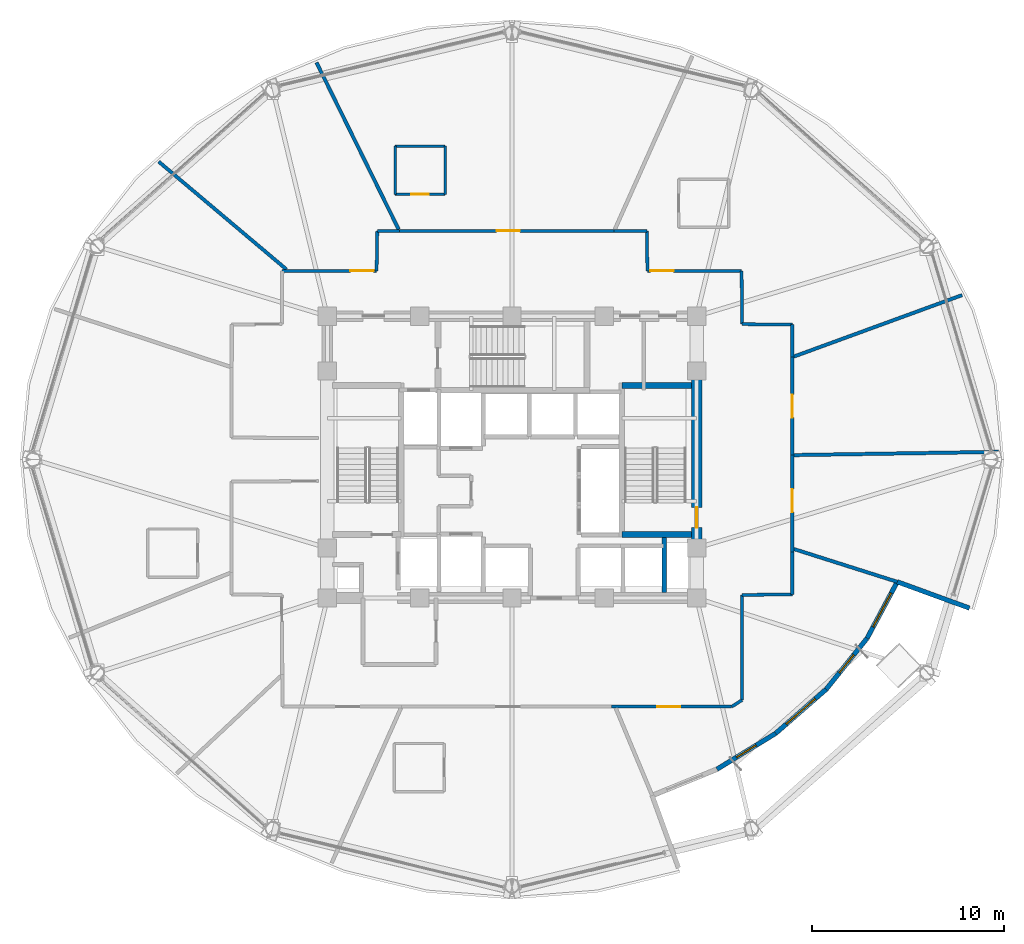
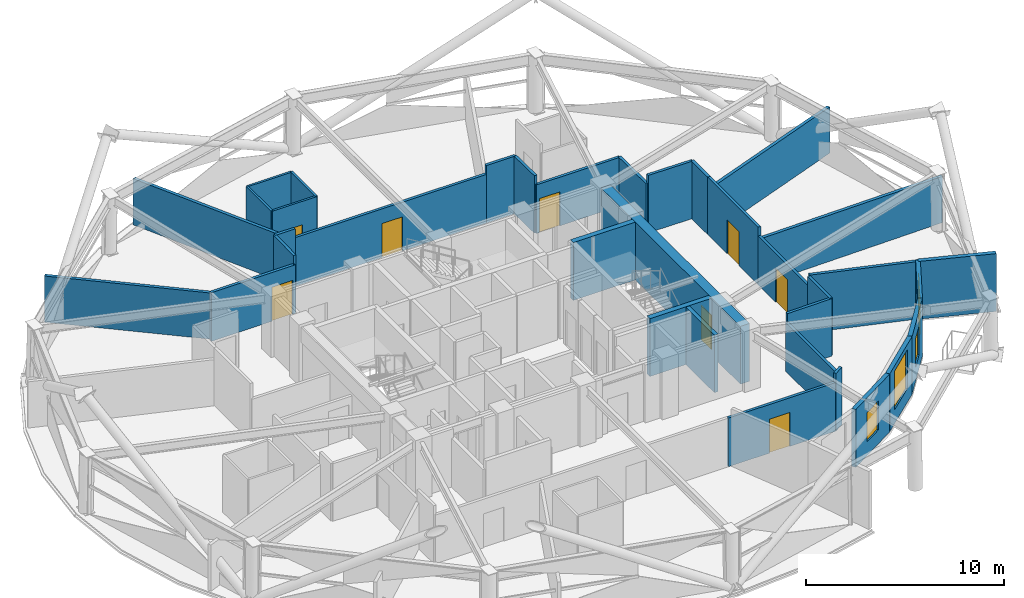
# One storey, part 12 of 17: 35 walls, 8 doors, 4 windows, 12 openings.
"""IFC4 building model written with IfcOpenShell, lengths in metres."""

from ifc_helpers import new_model, si_unit, direction, frame, frame_2d, origin, place, context, subcontext, project, spatial, rectangle, extrude, material, layer, layer_set, type_object, element, fill, save


model = new_model("IFC4")

# Units and contexts
model_context = context("Model", 3, precision=1e-05, world=origin(), true_north=direction((0.0, 1.0)))
body_context = subcontext(model_context, "Body", "Model", "MODEL_VIEW")
ifc_project = project(units=[si_unit("LENGTHUNIT", "METRE"), si_unit("AREAUNIT", "SQUARE_METRE"), si_unit("VOLUMEUNIT", "CUBIC_METRE"), si_unit("PLANEANGLEUNIT", "RADIAN"), si_unit("MASSUNIT", "GRAM", prefix="KILO")], contexts=[model_context])

# Site, building, storey
site_placement = place(None, origin())
site = spatial("IfcSite", under=ifc_project, at=site_placement, CompositionType="ELEMENT")
building_placement = place(site_placement, origin())
building = spatial("IfcBuilding", under=site, at=building_placement, Name="Vantalir Tower", CompositionType="ELEMENT")
storey_placement = place(building_placement, frame((0.0, 0.0, 142.199951171875)))
storey = spatial("IfcBuildingStorey", under=building, at=storey_placement, Name="L35", CompositionType="ELEMENT", Elevation=142.199951171875)

# Wall, opening, door
ifc_material_1 = material(Name="Moisture-resistant en-suite partition", Category="gypsum")
ifc_layer_1 = layer(ifc_material_1, 0.125)
ifc_layer_set_1 = layer_set([ifc_layer_1], Name="Moisture-resistant en-suite partition")
wall_type_1 = type_object("IfcWallType", Name="WL-BATH-125", PredefinedType="PARTITIONING", material=ifc_layer_set_1)
wall_1_placement = place(storey_placement, frame((25.4208984375, 38.7919921875, 0.0), z_axis=(0.0, 0.0, 1.0), x_axis=(1.0, 0.0, 0.0)))
wall_1 = element("IfcWall", 1, at=wall_1_placement, inside=storey, type_object=wall_type_1, Name="L35 En-suite 02 South Wall", PredefinedType="PARTITIONING", context=body_context, shape_type="SweptSolid", body=[
    extrude(rectangle(XDim=2.60009765625, YDim=0.125, at=frame_2d((1.300048828125, 0.0))), origin(), (0.0, 0.0, 1.0), 3.550048828125),
])
opening_1_placement = place(wall_1_placement, frame((0.85009765625, 0.0, 0.0)))
opening_1 = element("IfcOpeningElement", 2, at=opening_1_placement, cuts=wall_1, Name="Opening D-WC", PredefinedType="OPENING", context=body_context, shape_type="SweptSolid", body=[
    extrude(rectangle(XDim=0.89990234375, YDim=2.10009765625, at=frame_2d((0.449951171875, 1.050048828125))), frame((0.0, 0.072509765625, 0.0), z_axis=(0.0, -1.0, 0.0), x_axis=(1.0, 0.0, 0.0)), (0.0, 0.0, 1.0), 0.14501953125),
])
ifc_material_2 = material(Name="Moisture-resistant hardwood door", Category="wood")
door_type_1 = type_object("IfcDoorType", Name="DR-ENSUITE-900", OperationType="NOTDEFINED", PredefinedType="DOOR", material=ifc_material_2)
door_1_placement = place(opening_1_placement, origin())
door_1 = element("IfcDoor", 3, at=door_1_placement, inside=storey, type_object=door_type_1, Name="L35 En-suite 02 Door", OperationType="SINGLE_SWING_RIGHT", OverallHeight=2.10009765625, OverallWidth=0.89990234375, PredefinedType="DOOR", context=body_context, shape_type="SweptSolid", body=[
    extrude(rectangle(XDim=0.89990234375, YDim=2.10009765625, at=frame_2d((0.449951171875, 1.050048828125))), frame((0.0, 0.02490234375, 0.0), z_axis=(0.0, -1.0, 0.0), x_axis=(1.0, 0.0, 0.0)), (0.0, 0.0, 1.0), 0.050048828125),
])
fill(opening_1, door_1)

# Walls
wall_2_placement = place(storey_placement, frame((25.4208984375, 41.2919921875, 0.0), z_axis=(0.0, 0.0, 1.0), x_axis=(1.0, 0.0, 0.0)))
element("IfcWall", 4, at=wall_2_placement, inside=storey, type_object=wall_type_1, Name="L35 En-suite 02 North Wall", PredefinedType="PARTITIONING", context=body_context, shape_type="SweptSolid", body=[
    extrude(rectangle(XDim=2.60009765625, YDim=0.125, at=frame_2d((1.300048828125, 0.0))), origin(), (0.0, 0.0, 1.0), 3.550048828125),
])
for number, where, z_axis, x_axis, name in (
    (5, (25.4208984375, 38.7919921875, 0.0), (0.0, 0.0, 1.0), (0.0, 1.0, 0.0), "L35 En-suite 02 West Wall"),
    (6, (28.02099609375, 38.7919921875, 0.0), (0.0, 0.0, 1.0), (0.0, 1.0, 0.0), "L35 En-suite 02 East Wall"),
):
    element("IfcWall", number, at=place(storey_placement, frame(where, z_axis=z_axis, x_axis=x_axis)), inside=storey, type_object=wall_type_1, Name=name, PredefinedType="PARTITIONING", context=body_context, shape_type="SweptSolid", body=[
        extrude(rectangle(XDim=2.5, YDim=0.125, at=frame_2d((1.25, 0.0))), origin(), (0.0, 0.0, 1.0), 3.550048828125),
    ])

# Wall, opening, door
ifc_material_3 = material(Name="Concrete C60/75", Category="concrete")
ifc_layer_2 = layer(ifc_material_3, 0.550048828125)
ifc_layer_set_2 = layer_set([ifc_layer_2], Name="Concrete C60/75")
wall_type_2 = type_object("IfcWallType", Name="WL-CORE-550", PredefinedType="SHEAR", material=ifc_layer_set_2)
wall_3_placement = place(storey_placement, frame((41.10009765625, 18.074951171875, 0.0), z_axis=(0.0, 0.0, 1.0), x_axis=(0.0, 1.0, 0.0)))
wall_3 = element("IfcWall", 7, at=wall_3_placement, inside=storey, type_object=wall_type_2, Name="L35 Core Shear Wall East", PredefinedType="SHEAR", context=body_context, shape_type="SweptSolid", body=[
    extrude(rectangle(XDim=14.10009765625, YDim=0.550048828125, at=frame_2d((7.050048828125, 0.0))), origin(), (0.0, 0.0, 1.0), 3.570068359375),
])
opening_2_placement = place(wall_3_placement, frame((3.385009765625, 0.0, 0.0)))
opening_2 = element("IfcOpeningElement", 8, at=opening_2_placement, cuts=wall_3, Name="Opening D-ST", PredefinedType="OPENING", context=body_context, shape_type="SweptSolid", body=[
    extrude(rectangle(XDim=1.050048828125, YDim=2.10009765625, at=frame_2d((0.52490234375, 1.050048828125))), frame((0.0, 0.284912109375, 0.0), z_axis=(0.0, -1.0, 0.0), x_axis=(1.0, 0.0, 0.0)), (0.0, 0.0, 1.0), 0.570068359375),
])
ifc_material_4 = material(Name="Fire-rated steel door leaf", Category="steel")
door_type_2 = type_object("IfcDoorType", Name="DR-FIRE-STAIR-1050", OperationType="NOTDEFINED", PredefinedType="DOOR", material=ifc_material_4)
door_2_placement = place(opening_2_placement, origin())
door_2 = element("IfcDoor", 9, at=door_2_placement, inside=storey, type_object=door_type_2, Name="L35 Exit Stair ST2 Fire Door", OperationType="SINGLE_SWING_LEFT", OverallHeight=2.10009765625, OverallWidth=1.050048828125, PredefinedType="DOOR", context=body_context, shape_type="SweptSolid", body=[
    extrude(rectangle(XDim=1.050048828125, YDim=2.10009765625, at=frame_2d((0.52490234375, 1.050048828125))), frame((0.0, 0.02490234375, 0.0), z_axis=(0.0, -1.0, 0.0), x_axis=(1.0, 0.0, 0.0)), (0.0, 0.0, 1.0), 0.050048828125),
])
fill(opening_2, door_2)

ifc_material_5 = material(Name="Fire-rated hotel corridor acoustic partition", Category="gypsum")
ifc_layer_3 = layer(ifc_material_5, 0.159912109375)
ifc_layer_set_3 = layer_set([ifc_layer_3], Name="Fire-rated hotel corridor acoustic partition")
wall_type_3 = type_object("IfcWallType", Name="WL-CORR-160", PredefinedType="PARTITIONING", material=ifc_layer_set_3)
wall_4_placement = place(storey_placement, frame((19.552978515625, 34.80810546875, 0.0), z_axis=(0.0, 0.0, 1.0), x_axis=(0.999999029632, 0.001393102783, 0.0)))
wall_4 = element("IfcWall", 10, at=wall_4_placement, inside=storey, type_object=wall_type_3, Name="L35 Corridor Partition 06", PredefinedType="PARTITIONING", context=body_context, shape_type="SweptSolid", body=[
    extrude(rectangle(XDim=4.906982421875, YDim=0.159912109375, at=frame_2d((2.45361328125, 0.0))), origin(), (0.0, 0.0, 1.0), 3.006103515625),
])
opening_3_placement = place(wall_4_placement, frame((3.547119140625, 0.0, 0.0)))
opening_3 = element("IfcOpeningElement", 11, at=opening_3_placement, cuts=wall_4, Name="Opening D-STE", PredefinedType="OPENING", context=body_context, shape_type="SweptSolid", body=[
    extrude(rectangle(XDim=1.199951171875, YDim=2.10009765625, at=frame_2d((0.60009765625, 1.050048828125))), frame((0.0, 0.08984375, 0.0), z_axis=(0.0, -1.0, 0.0), x_axis=(1.0, 0.0, 0.0)), (0.0, 0.0, 1.0), 0.179931640625),
])
ifc_material_6 = material(Name="Solid-core teak veneer suite entrance door", Category="wood")
door_type_3 = type_object("IfcDoorType", Name="DR-SUITE-ENTRY-1200", OperationType="NOTDEFINED", PredefinedType="DOOR", material=ifc_material_6)
door_3_placement = place(opening_3_placement, origin())
door_3 = element("IfcDoor", 12, at=door_3_placement, inside=storey, type_object=door_type_3, Name="L35 Club Reading Lounge 03 Door", OperationType="SINGLE_SWING_RIGHT", OverallHeight=2.10009765625, OverallWidth=1.199951171875, PredefinedType="DOOR", context=body_context, shape_type="SweptSolid", body=[
    extrude(rectangle(XDim=1.199951171875, YDim=2.10009765625, at=frame_2d((0.60009765625, 1.050048828125))), frame((0.0, 0.02490234375, 0.0), z_axis=(0.0, -1.0, 0.0), x_axis=(1.0, 0.0, 0.0)), (0.0, 0.0, 1.0), 0.050048828125),
])
fill(opening_3, door_3)

# Walls
wall_5_placement = place(storey_placement, frame((24.4599609375, 34.81494140625, 0.0), z_axis=(0.0, 0.0, 1.0), x_axis=(0.0174111737, 0.999848414026, 0.0)))
element("IfcWall", 13, at=wall_5_placement, inside=storey, type_object=wall_type_3, Name="L35 Corridor Partition 07", PredefinedType="PARTITIONING", context=body_context, shape_type="SweptSolid", body=[
    extrude(rectangle(XDim=2.0751953125, YDim=0.159912109375, at=frame_2d((1.03759765625, 0.0))), origin(), (0.0, 0.0, 1.0), 3.550048828125),
])
wall_6_placement = place(storey_placement, frame((24.49609375, 36.889892578125, 0.0), z_axis=(0.0, 0.0, 1.0), x_axis=(1.0, 0.0, 0.0)))
element("IfcWall", 14, at=wall_6_placement, inside=storey, type_object=wall_type_3, Name="L35 Corridor Partition 08", PredefinedType="PARTITIONING", context=body_context, shape_type="SweptSolid", body=[
    extrude(rectangle(XDim=1.14892578125, YDim=0.159912109375, at=frame_2d((0.574462890625, 0.0))), origin(), (0.0, 0.0, 1.0), 3.550048828125),
])

# Wall, opening, door
wall_7_placement = place(storey_placement, frame((25.64501953125, 36.889892578125, 0.0), z_axis=(0.0, 0.0, 1.0), x_axis=(0.999999984705, -0.000174901615, 0.0)))
wall_7 = element("IfcWall", 15, at=wall_7_placement, inside=storey, type_object=wall_type_3, Name="L35 Corridor Partition 09", PredefinedType="PARTITIONING", context=body_context, shape_type="SweptSolid", body=[
    extrude(rectangle(XDim=11.1669921875, YDim=0.159912109375, at=frame_2d((5.58349609375, 0.0))), origin(), (0.0, 0.0, 1.0), 3.006103515625),
])
opening_4_placement = place(wall_7_placement, frame((5.05810546875, 0.0, 0.0)))
opening_4 = element("IfcOpeningElement", 16, at=opening_4_placement, cuts=wall_7, Name="Opening D-STE", PredefinedType="OPENING", context=body_context, shape_type="SweptSolid", body=[
    extrude(rectangle(XDim=1.199951171875, YDim=2.10009765625, at=frame_2d((0.60009765625, 1.050048828125))), frame((0.0, 0.08984375, 0.0), z_axis=(0.0, -1.0, 0.0), x_axis=(1.0, 0.0, 0.0)), (0.0, 0.0, 1.0), 0.179931640625),
])
door_4_placement = place(opening_4_placement, origin())
door_4 = element("IfcDoor", 17, at=door_4_placement, inside=storey, type_object=door_type_3, Name="L35 Executive Club Hotel Suite 02 Door", OperationType="SINGLE_SWING_LEFT", OverallHeight=2.10009765625, OverallWidth=1.199951171875, PredefinedType="DOOR", context=body_context, shape_type="SweptSolid", body=[
    extrude(rectangle(XDim=1.199951171875, YDim=2.10009765625, at=frame_2d((0.60009765625, 1.050048828125))), frame((0.0, 0.02490234375, 0.0), z_axis=(0.0, -1.0, 0.0), x_axis=(1.0, 0.0, 0.0)), (0.0, 0.0, 1.0), 0.050048828125),
])
fill(opening_4, door_4)

# Walls
wall_8_placement = place(storey_placement, frame((36.81201171875, 36.887939453125, 0.0), z_axis=(0.0, 0.0, 1.0), x_axis=(1.0, 0.0, 0.0)))
element("IfcWall", 18, at=wall_8_placement, inside=storey, type_object=wall_type_3, Name="L35 Corridor Partition 10", PredefinedType="PARTITIONING", context=body_context, shape_type="SweptSolid", body=[
    extrude(rectangle(XDim=1.699951171875, YDim=0.159912109375, at=frame_2d((0.85009765625, 0.0))), origin(), (0.0, 0.0, 1.0), 3.550048828125),
])
wall_9_placement = place(storey_placement, frame((38.511962890625, 36.887939453125, 0.0), z_axis=(0.0, 0.0, 1.0), x_axis=(0.013542510192, -0.999908296004, 0.0)))
element("IfcWall", 19, at=wall_9_placement, inside=storey, type_object=wall_type_3, Name="L35 Corridor Partition 11", PredefinedType="PARTITIONING", context=body_context, shape_type="SweptSolid", body=[
    extrude(rectangle(XDim=2.0732421875, YDim=0.159912109375, at=frame_2d((1.03662109375, 0.0))), origin(), (0.0, 0.0, 1.0), 3.550048828125),
])

# Wall, opening, door
wall_10_placement = place(storey_placement, frame((38.5400390625, 34.81494140625, 0.0), z_axis=(0.0, 0.0, 1.0), x_axis=(0.999999821253, -0.000597907217, 0.0)))
wall_10 = element("IfcWall", 20, at=wall_10_placement, inside=storey, type_object=wall_type_3, Name="L35 Corridor Partition 12", PredefinedType="PARTITIONING", context=body_context, shape_type="SweptSolid", body=[
    extrude(rectangle(XDim=4.89990234375, YDim=0.159912109375, at=frame_2d((2.449951171875, 0.0))), origin(), (0.0, 0.0, 1.0), 3.006103515625),
])
opening_5_placement = place(wall_10_placement, frame((0.159912109375, 0.0, 0.0)))
opening_5 = element("IfcOpeningElement", 21, at=opening_5_placement, cuts=wall_10, Name="Opening D-STE", PredefinedType="OPENING", context=body_context, shape_type="SweptSolid", body=[
    extrude(rectangle(XDim=1.199951171875, YDim=2.10009765625, at=frame_2d((0.60009765625, 1.050048828125))), frame((0.0, 0.08984375, 0.0), z_axis=(0.0, -1.0, 0.0), x_axis=(1.0, 0.0, 0.0)), (0.0, 0.0, 1.0), 0.179931640625),
])
door_5_placement = place(opening_5_placement, origin())
door_5 = element("IfcDoor", 22, at=door_5_placement, inside=storey, type_object=door_type_3, Name="L35 Corner Panorama Hotel Suite 01 Door", OperationType="SINGLE_SWING_RIGHT", OverallHeight=2.10009765625, OverallWidth=1.199951171875, PredefinedType="DOOR", context=body_context, shape_type="SweptSolid", body=[
    extrude(rectangle(XDim=1.199951171875, YDim=2.10009765625, at=frame_2d((0.60009765625, 1.050048828125))), frame((0.0, 0.02490234375, 0.0), z_axis=(0.0, -1.0, 0.0), x_axis=(1.0, 0.0, 0.0)), (0.0, 0.0, 1.0), 0.050048828125),
])
fill(opening_5, door_5)

# Walls
wall_11_placement = place(storey_placement, frame((43.43994140625, 34.81201171875, 0.0), z_axis=(0.0, 0.0, 1.0), x_axis=(0.009071319538, -0.999958854734, 0.0)))
element("IfcWall", 23, at=wall_11_placement, inside=storey, type_object=wall_type_3, Name="L35 Corridor Partition 13", PredefinedType="PARTITIONING", context=body_context, shape_type="SweptSolid", body=[
    extrude(rectangle(XDim=2.77197265625, YDim=0.159912109375, at=frame_2d((1.385986328125, 0.0))), origin(), (0.0, 0.0, 1.0), 3.006103515625),
])
wall_12_placement = place(storey_placement, frame((43.465087890625, 32.0400390625, 0.0), z_axis=(0.0, 0.0, 1.0), x_axis=(0.999953480577, -0.009645552397, 0.0)))
element("IfcWall", 24, at=wall_12_placement, inside=storey, type_object=wall_type_3, Name="L35 Corridor Partition 14", PredefinedType="PARTITIONING", context=body_context, shape_type="SweptSolid", body=[
    extrude(rectangle(XDim=2.60693359375, YDim=0.159912109375, at=frame_2d((1.303466796875, 0.0))), origin(), (0.0, 0.0, 1.0), 3.550048828125),
])
wall_13_placement = place(storey_placement, frame((46.072021484375, 32.014892578125, 0.0), z_axis=(0.0, 0.0, 1.0), x_axis=(0.0, -1.0, 0.0)))
element("IfcWall", 25, at=wall_13_placement, inside=storey, type_object=wall_type_3, Name="L35 Corridor Partition 15", PredefinedType="PARTITIONING", context=body_context, shape_type="SweptSolid", body=[
    extrude(rectangle(XDim=1.69091796875, YDim=0.159912109375, at=frame_2d((0.845458984375, 0.0))), origin(), (0.0, 0.0, 1.0), 3.550048828125),
])

# Wall, opening, door
wall_14_placement = place(storey_placement, frame((46.072021484375, 30.323974609375, 0.0), z_axis=(0.0, 0.0, 1.0), x_axis=(0.000191708599, -0.999999981624, 0.0)))
wall_14 = element("IfcWall", 26, at=wall_14_placement, inside=storey, type_object=wall_type_3, Name="L35 Corridor Partition 16", PredefinedType="PARTITIONING", context=body_context, shape_type="SweptSolid", body=[
    extrude(rectangle(XDim=5.093994140625, YDim=0.159912109375, at=frame_2d((2.546875, 0.0))), origin(), (0.0, 0.0, 1.0), 3.550048828125),
])
opening_6_placement = place(wall_14_placement, frame((1.947021484375, 0.0, 0.0)))
opening_6 = element("IfcOpeningElement", 27, at=opening_6_placement, cuts=wall_14, Name="Opening D-STE", PredefinedType="OPENING", context=body_context, shape_type="SweptSolid", body=[
    extrude(rectangle(XDim=1.199951171875, YDim=2.10009765625, at=frame_2d((0.60009765625, 1.050048828125))), frame((0.0, 0.08984375, 0.0), z_axis=(0.0, -1.0, 0.0), x_axis=(1.0, 0.0, 0.0)), (0.0, 0.0, 1.0), 0.179931640625),
])
door_6_placement = place(opening_6_placement, origin())
door_6 = element("IfcDoor", 28, at=door_6_placement, inside=storey, type_object=door_type_3, Name="L35 Executive Sky Boardroom 11 Door", OperationType="SINGLE_SWING_RIGHT", OverallHeight=2.10009765625, OverallWidth=1.199951171875, PredefinedType="DOOR", context=body_context, shape_type="SweptSolid", body=[
    extrude(rectangle(XDim=1.199951171875, YDim=2.10009765625, at=frame_2d((0.60009765625, 1.050048828125))), frame((0.0, 0.02490234375, 0.0), z_axis=(0.0, -1.0, 0.0), x_axis=(1.0, 0.0, 0.0)), (0.0, 0.0, 1.0), 0.050048828125),
])
fill(opening_6, door_6)

wall_15_placement = place(storey_placement, frame((46.072998046875, 25.22998046875, 0.0), z_axis=(0.0, 0.0, 1.0), x_axis=(0.0, -1.0, 0.0)))
wall_15 = element("IfcWall", 29, at=wall_15_placement, inside=storey, type_object=wall_type_3, Name="L35 Corridor Partition 17", PredefinedType="PARTITIONING", context=body_context, shape_type="SweptSolid", body=[
    extrude(rectangle(XDim=5.02587890625, YDim=0.159912109375, at=frame_2d((2.512939453125, 0.0))), origin(), (0.0, 0.0, 1.0), 3.006103515625),
])
opening_7_placement = place(wall_15_placement, frame((1.76708984375, 0.0, 0.0)))
opening_7 = element("IfcOpeningElement", 30, at=opening_7_placement, cuts=wall_15, Name="Opening D-STE", PredefinedType="OPENING", context=body_context, shape_type="SweptSolid", body=[
    extrude(rectangle(XDim=1.199951171875, YDim=2.10009765625, at=frame_2d((0.60009765625, 1.050048828125))), frame((0.0, 0.08984375, 0.0), z_axis=(0.0, -1.0, 0.0), x_axis=(1.0, 0.0, 0.0)), (0.0, 0.0, 1.0), 0.179931640625),
])
door_7_placement = place(opening_7_placement, origin())
door_7 = element("IfcDoor", 31, at=door_7_placement, inside=storey, type_object=door_type_3, Name="L35 Club Reading Lounge 10 Door", OperationType="SINGLE_SWING_LEFT", OverallHeight=2.10009765625, OverallWidth=1.199951171875, PredefinedType="DOOR", context=body_context, shape_type="SweptSolid", body=[
    extrude(rectangle(XDim=1.199951171875, YDim=2.10009765625, at=frame_2d((0.60009765625, 1.050048828125))), frame((0.0, 0.02490234375, 0.0), z_axis=(0.0, -1.0, 0.0), x_axis=(1.0, 0.0, 0.0)), (0.0, 0.0, 1.0), 0.050048828125),
])
fill(opening_7, door_7)

# Walls
wall_16_placement = place(storey_placement, frame((46.072998046875, 20.2041015625, 0.0), z_axis=(0.0, 0.0, 1.0), x_axis=(0.0, -1.0, 0.0)))
element("IfcWall", 32, at=wall_16_placement, inside=storey, type_object=wall_type_3, Name="L35 Corridor Partition 18", PredefinedType="PARTITIONING", context=body_context, shape_type="SweptSolid", body=[
    extrude(rectangle(XDim=2.216064453125, YDim=0.159912109375, at=frame_2d((1.10791015625, 0.0))), origin(), (0.0, 0.0, 1.0), 3.550048828125),
])
wall_17_placement = place(storey_placement, frame((46.072998046875, 17.988037109375, 0.0), z_axis=(0.0, 0.0, 1.0), x_axis=(-0.99994205409, -0.010765150367, 0.0)))
element("IfcWall", 33, at=wall_17_placement, inside=storey, type_object=wall_type_3, Name="L35 Corridor Partition 19", PredefinedType="PARTITIONING", context=body_context, shape_type="SweptSolid", body=[
    extrude(rectangle(XDim=2.608154296875, YDim=0.159912109375, at=frame_2d((1.30419921875, 0.0))), origin(), (0.0, 0.0, 1.0), 3.550048828125),
])
wall_18_placement = place(storey_placement, frame((43.465087890625, 17.9599609375, 0.0), z_axis=(0.0, 0.0, 1.0), x_axis=(0.0, -1.0, 0.0)))
element("IfcWall", 34, at=wall_18_placement, inside=storey, type_object=wall_type_3, Name="L35 Corridor Partition 20", PredefinedType="PARTITIONING", context=body_context, shape_type="SweptSolid", body=[
    extrude(rectangle(XDim=5.46484375, YDim=0.159912109375, at=frame_2d((2.732421875, 0.0))), origin(), (0.0, 0.0, 1.0), 3.006103515625),
])
wall_19_placement = place(storey_placement, frame((43.465087890625, 12.4951171875, 0.0), z_axis=(0.0, 0.0, 1.0), x_axis=(-0.842811694093, -0.538208554652, 0.0)))
element("IfcWall", 35, at=wall_19_placement, inside=storey, type_object=wall_type_3, Name="L35 Corridor Partition 21", PredefinedType="PARTITIONING", context=body_context, shape_type="SweptSolid", body=[
    extrude(rectangle(XDim=0.6396484375, YDim=0.159912109375, at=frame_2d((0.31982421875, 0.0))), origin(), (0.0, 0.0, 1.0), 3.550048828125),
])

# Wall, opening, door
wall_20_placement = place(storey_placement, frame((42.926025390625, 12.15087890625, 0.0), z_axis=(0.0, 0.0, 1.0), x_axis=(-1.0, 0.0, 0.0)))
wall_20 = element("IfcWall", 36, at=wall_20_placement, inside=storey, type_object=wall_type_3, Name="L35 Corridor Partition 22", PredefinedType="PARTITIONING", context=body_context, shape_type="SweptSolid", body=[
    extrude(rectangle(XDim=6.25390625, YDim=0.159912109375, at=frame_2d((3.126953125, 0.0))), origin(), (0.0, 0.0, 1.0), 3.006103515625),
])
opening_8_placement = place(wall_20_placement, frame((2.675048828125, 0.0, 0.0)))
opening_8 = element("IfcOpeningElement", 37, at=opening_8_placement, cuts=wall_20, Name="Opening D-STE", PredefinedType="OPENING", context=body_context, shape_type="SweptSolid", body=[
    extrude(rectangle(XDim=1.199951171875, YDim=2.10009765625, at=frame_2d((0.60009765625, 1.050048828125))), frame((0.0, 0.08984375, 0.0), z_axis=(0.0, -1.0, 0.0), x_axis=(1.0, 0.0, 0.0)), (0.0, 0.0, 1.0), 0.179931640625),
])
door_8_placement = place(opening_8_placement, origin())
door_8 = element("IfcDoor", 38, at=door_8_placement, inside=storey, type_object=door_type_3, Name="L35 Sky Garden Conservatory Lounge 09 Door", OperationType="SINGLE_SWING_RIGHT", OverallHeight=2.10009765625, OverallWidth=1.199951171875, PredefinedType="DOOR", context=body_context, shape_type="SweptSolid", body=[
    extrude(rectangle(XDim=1.199951171875, YDim=2.10009765625, at=frame_2d((0.60009765625, 1.050048828125))), frame((0.0, 0.02490234375, 0.0), z_axis=(0.0, -1.0, 0.0), x_axis=(1.0, 0.0, 0.0)), (0.0, 0.0, 1.0), 0.050048828125),
])
fill(opening_8, door_8)

# Wall
ifc_material_7 = material(Name="Precast concrete C40/50 insulated sky-garden wall", Category="concrete")
ifc_layer_4 = layer(ifc_material_7, 0.239990234375)
ifc_layer_set_4 = layer_set([ifc_layer_4], Name="Precast concrete C40/50 insulated sky-garden wall")
wall_type_4 = type_object("IfcWallType", Name="WL-EXT-SG-240", PredefinedType="SOLIDWALL", material=ifc_layer_set_4)
wall_21_placement = place(storey_placement, frame((51.531005859375, 18.64208984375, 0.0), z_axis=(0.0, 0.0, 1.0), x_axis=(0.939693595587, -0.342017465069, 0.0)))
element("IfcWall", 39, at=wall_21_placement, inside=storey, type_object=wall_type_4, Name="L35 SG2 Sky-Garden Return Wall B", PredefinedType="SOLIDWALL", context=body_context, shape_type="SweptSolid", body=[
    extrude(rectangle(XDim=4.000244140625, YDim=0.239990234375, at=frame_2d((2.0, 0.0))), origin(), (0.0, 0.0, 1.0), 3.570068359375),
])

# Wall, opening, window
wall_22_placement = place(storey_placement, frame((42.158935546875, 8.90087890625, 0.0), z_axis=(0.0, 0.0, 1.0), x_axis=(0.853461200676, 0.52115638626, 0.0)))
wall_22 = element("IfcWall", 40, at=wall_22_placement, inside=storey, type_object=wall_type_4, Name="L35 SG2 Sky-Garden Lounge Wall 2", PredefinedType="SOLIDWALL", context=body_context, shape_type="SweptSolid", body=[
    extrude(rectangle(XDim=3.5654296875, YDim=0.239990234375, at=frame_2d((1.78271484375, 0.0))), origin(), (0.0, 0.0, 1.0), 3.570068359375),
])
opening_9_placement = place(wall_22_placement, frame((1.18310546875, 0.0, 0.85009765625)))
opening_9 = element("IfcOpeningElement", 41, at=opening_9_placement, cuts=wall_22, Name="Opening WN-4", PredefinedType="OPENING", context=body_context, shape_type="SweptSolid", body=[
    extrude(rectangle(XDim=1.199951171875, YDim=1.800048828125, at=frame_2d((0.60009765625, 0.89990234375))), frame((0.0, 0.1298828125, 0.0), z_axis=(0.0, -1.0, 0.0), x_axis=(1.0, 0.0, 0.0)), (0.0, 0.0, 1.0), 0.260009765625),
])
ifc_material_8 = material(Name="Operable smoke-vent Low-E window", Category="glass")
window_type_1 = type_object("IfcWindowType", Name="WIN-SG-1200x1800", PartitioningType="SINGLE_PANEL", PredefinedType="WINDOW", material=ifc_material_8)
window_1_placement = place(opening_9_placement, origin())
window_1 = element("IfcWindow", 42, at=window_1_placement, inside=storey, type_object=window_type_1, Name="L35 SG2 Sky-Garden Window 2", OverallHeight=1.800048828125, OverallWidth=1.199951171875, PartitioningType="SINGLE_PANEL", PredefinedType="WINDOW", context=body_context, shape_type="SweptSolid", body=[
    extrude(rectangle(XDim=1.199951171875, YDim=1.800048828125, at=frame_2d((0.60009765625, 0.89990234375))), frame((0.0, 0.030029296875, 0.0), z_axis=(0.0, -1.0, 0.0), x_axis=(1.0, 0.0, 0.0)), (0.0, 0.0, 1.0), 0.06005859375),
])
fill(opening_9, window_1)

wall_23_placement = place(storey_placement, frame((45.201904296875, 10.759033203125, 0.0), z_axis=(0.0, 0.0, 1.0), x_axis=(0.753664238494, 0.65725962573, 0.0)))
wall_23 = element("IfcWall", 43, at=wall_23_placement, inside=storey, type_object=wall_type_4, Name="L35 SG2 Sky-Garden Lounge Wall 3", PredefinedType="SOLIDWALL", context=body_context, shape_type="SweptSolid", body=[
    extrude(rectangle(XDim=3.4873046875, YDim=0.239990234375, at=frame_2d((1.74365234375, 0.0))), origin(), (0.0, 0.0, 1.0), 3.570068359375),
])
opening_10_placement = place(wall_23_placement, frame((0.743896484375, 0.0, 0.85009765625)))
opening_10 = element("IfcOpeningElement", 44, at=opening_10_placement, cuts=wall_23, Name="Opening WN-3", PredefinedType="OPENING", context=body_context, shape_type="SweptSolid", body=[
    extrude(rectangle(XDim=2.0, YDim=2.39990234375, at=frame_2d((1.0, 1.199951171875))), frame((0.0, 0.1298828125, 0.0), z_axis=(0.0, -1.0, 0.0), x_axis=(1.0, 0.0, 0.0)), (0.0, 0.0, 1.0), 0.260009765625),
])
ifc_material_9 = material(Name="Double-silver Low-E sky-garden lounge window", Category="glass")
window_type_2 = type_object("IfcWindowType", Name="WIN-SG-2000x2400", PartitioningType="SINGLE_PANEL", PredefinedType="WINDOW", material=ifc_material_9)
window_2_placement = place(opening_10_placement, origin())
window_2 = element("IfcWindow", 45, at=window_2_placement, inside=storey, type_object=window_type_2, Name="L35 SG2 Sky-Garden Window 3", OverallHeight=2.39990234375, OverallWidth=2.0, PartitioningType="SINGLE_PANEL", PredefinedType="WINDOW", context=body_context, shape_type="SweptSolid", body=[
    extrude(rectangle(XDim=2.0, YDim=2.39990234375, at=frame_2d((1.0, 1.199951171875))), frame((0.0, 0.030029296875, 0.0), z_axis=(0.0, -1.0, 0.0), x_axis=(1.0, 0.0, 0.0)), (0.0, 0.0, 1.0), 0.06005859375),
])
fill(opening_10, window_2)

wall_24_placement = place(storey_placement, frame((47.830078125, 13.051025390625, 0.0), z_axis=(0.0, 0.0, 1.0), x_axis=(0.626058711575, 0.779775922724, 0.0)))
wall_24 = element("IfcWall", 46, at=wall_24_placement, inside=storey, type_object=wall_type_4, Name="L35 SG2 Sky-Garden Lounge Wall 4", PredefinedType="SOLIDWALL", context=body_context, shape_type="SweptSolid", body=[
    extrude(rectangle(XDim=3.403564453125, YDim=0.239990234375, at=frame_2d((1.70166015625, 0.0))), origin(), (0.0, 0.0, 1.0), 3.570068359375),
])
opening_11_placement = place(wall_24_placement, frame((1.10205078125, 0.0, 0.85009765625)))
opening_11 = element("IfcOpeningElement", 47, at=opening_11_placement, cuts=wall_24, Name="Opening WN-4", PredefinedType="OPENING", context=body_context, shape_type="SweptSolid", body=[
    extrude(rectangle(XDim=1.199951171875, YDim=1.800048828125, at=frame_2d((0.60009765625, 0.89990234375))), frame((0.0, 0.1298828125, 0.0), z_axis=(0.0, -1.0, 0.0), x_axis=(1.0, 0.0, 0.0)), (0.0, 0.0, 1.0), 0.260009765625),
])
window_3_placement = place(opening_11_placement, origin())
window_3 = element("IfcWindow", 48, at=window_3_placement, inside=storey, type_object=window_type_1, Name="L35 SG2 Sky-Garden Window 4", OverallHeight=1.800048828125, OverallWidth=1.199951171875, PartitioningType="SINGLE_PANEL", PredefinedType="WINDOW", context=body_context, shape_type="SweptSolid", body=[
    extrude(rectangle(XDim=1.199951171875, YDim=1.800048828125, at=frame_2d((0.60009765625, 0.89990234375))), frame((0.0, 0.030029296875, 0.0), z_axis=(0.0, -1.0, 0.0), x_axis=(1.0, 0.0, 0.0)), (0.0, 0.0, 1.0), 0.06005859375),
])
fill(opening_11, window_3)

wall_25_placement = place(storey_placement, frame((49.9609375, 15.705078125, 0.0), z_axis=(0.0, 0.0, 1.0), x_axis=(0.471444120002, 0.881895935877, 0.0)))
wall_25 = element("IfcWall", 49, at=wall_25_placement, inside=storey, type_object=wall_type_4, Name="L35 SG2 Sky-Garden Lounge Wall 5", PredefinedType="SOLIDWALL", context=body_context, shape_type="SweptSolid", body=[
    extrude(rectangle(XDim=3.330322265625, YDim=0.239990234375, at=frame_2d((1.6650390625, 0.0))), origin(), (0.0, 0.0, 1.0), 3.570068359375),
])
opening_12_placement = place(wall_25_placement, frame((0.6650390625, 0.0, 0.85009765625)))
opening_12 = element("IfcOpeningElement", 50, at=opening_12_placement, cuts=wall_25, Name="Opening WN-3", PredefinedType="OPENING", context=body_context, shape_type="SweptSolid", body=[
    extrude(rectangle(XDim=2.0, YDim=2.39990234375, at=frame_2d((1.0, 1.199951171875))), frame((0.0, 0.1298828125, 0.0), z_axis=(0.0, -1.0, 0.0), x_axis=(1.0, 0.0, 0.0)), (0.0, 0.0, 1.0), 0.260009765625),
])
window_4_placement = place(opening_12_placement, origin())
window_4 = element("IfcWindow", 51, at=window_4_placement, inside=storey, type_object=window_type_2, Name="L35 SG2 Sky-Garden Window 5", OverallHeight=2.39990234375, OverallWidth=2.0, PartitioningType="SINGLE_PANEL", PredefinedType="WINDOW", context=body_context, shape_type="SweptSolid", body=[
    extrude(rectangle(XDim=2.0, YDim=2.39990234375, at=frame_2d((1.0, 1.199951171875))), frame((0.0, 0.030029296875, 0.0), z_axis=(0.0, -1.0, 0.0), x_axis=(1.0, 0.0, 0.0)), (0.0, 0.0, 1.0), 0.06005859375),
])
fill(opening_12, window_4)

# Walls
ifc_material_10 = material(Name="Concrete blockwork with fireboard lining", Category="masonry")
ifc_layer_5 = layer(ifc_material_10, 0.219970703125)
ifc_layer_set_5 = layer_set([ifc_layer_5], Name="Concrete blockwork with fireboard lining")
wall_type_5 = type_object("IfcWallType", Name="WL-FFL-220", PredefinedType="PARTITIONING", material=ifc_layer_set_5)
wall_26_placement = place(storey_placement, frame((39.419921875, 18.074951171875, 0.0), z_axis=(0.0, 0.0, 1.0), x_axis=(0.0, 1.0, 0.0)))
element("IfcWall", 52, at=wall_26_placement, inside=storey, type_object=wall_type_5, Name="L35 East MEP Riser Wall W", PredefinedType="PARTITIONING", context=body_context, shape_type="SweptSolid", body=[
    extrude(rectangle(XDim=2.875, YDim=0.219970703125, at=frame_2d((1.4375, 0.0))), origin(), (0.0, 0.0, 1.0), 3.550048828125),
])
ifc_material_11 = material(Name="Twin-stud acoustic fire-rated gypsum partition", Category="gypsum")
ifc_layer_6 = layer(ifc_material_11, 0.179931640625)
ifc_layer_set_6 = layer_set([ifc_layer_6], Name="Twin-stud acoustic fire-rated gypsum partition")
wall_type_6 = type_object("IfcWallType", Name="WL-GUEST-180", PredefinedType="PARTITIONING", material=ifc_layer_set_6)
wall_27_placement = place(storey_placement, frame((46.14990234375, 30.35205078125, 0.0), z_axis=(0.0, 0.0, 1.0), x_axis=(0.939286843925, 0.343132955032, 0.0)))
element("IfcWall", 53, at=wall_27_placement, inside=storey, type_object=wall_type_6, Name="L35 Radial Suite Partition 01", PredefinedType="PARTITIONING", context=body_context, shape_type="SweptSolid", body=[
    extrude(rectangle(XDim=9.320068359375, YDim=0.179931640625, at=frame_2d((4.66015625, 0.0))), origin(), (0.0, 0.0, 1.0), 2.85205078125),
])
wall_28_placement = place(storey_placement, frame((25.60791015625, 36.965087890625, 0.0), z_axis=(0.0, 0.0, 1.0), x_axis=(-0.441703401355, 0.897161136715, 0.0)))
element("IfcWall", 54, at=wall_28_placement, inside=storey, type_object=wall_type_6, Name="L35 Radial Suite Partition 03", PredefinedType="PARTITIONING", context=body_context, shape_type="SweptSolid", body=[
    extrude(rectangle(XDim=9.673828125, YDim=0.179931640625, at=frame_2d((4.8369140625, 0.0))), origin(), (0.0, 0.0, 1.0), 2.85205078125),
])
wall_29_placement = place(storey_placement, frame((19.77001953125, 34.889892578125, 0.0), z_axis=(0.0, 0.0, 1.0), x_axis=(-0.764486734513, 0.644639459507, 0.0)))
element("IfcWall", 55, at=wall_29_placement, inside=storey, type_object=wall_type_6, Name="L35 Radial Suite Partition 04", PredefinedType="PARTITIONING", context=body_context, shape_type="SweptSolid", body=[
    extrude(rectangle(XDim=8.68408203125, YDim=0.179931640625, at=frame_2d((4.342041015625, 0.0))), origin(), (0.0, 0.0, 1.0), 2.85205078125),
])
wall_30_placement = place(storey_placement, frame((46.14990234375, 20.35009765625, 0.0), z_axis=(0.0, 0.0, 1.0), x_axis=(0.953138519051, -0.302534235256, 0.0)))
element("IfcWall", 56, at=wall_30_placement, inside=storey, type_object=wall_type_6, Name="L35 Radial Suite Partition 10", PredefinedType="PARTITIONING", context=body_context, shape_type="SweptSolid", body=[
    extrude(rectangle(XDim=5.645751953125, YDim=0.179931640625, at=frame_2d((2.82275390625, 0.0))), origin(), (0.0, 0.0, 1.0), 3.550048828125),
])
wall_31_placement = place(storey_placement, frame((46.14990234375, 25.23095703125, 0.0), z_axis=(0.0, 0.0, 1.0), x_axis=(0.999874600257, 0.015836153607, 0.0)))
element("IfcWall", 57, at=wall_31_placement, inside=storey, type_object=wall_type_6, Name="L35 Radial Suite Partition 11", PredefinedType="PARTITIONING", context=body_context, shape_type="SweptSolid", body=[
    extrude(rectangle(XDim=10.668212890625, YDim=0.179931640625, at=frame_2d((5.333984375, 0.0))), origin(), (0.0, 0.0, 1.0), 2.85205078125),
])
ifc_material_12 = material(Name="Concrete C50/60", Category="concrete")
ifc_layer_7 = layer(ifc_material_12, 0.300048828125)
ifc_layer_set_7 = layer_set([ifc_layer_7], Name="Concrete C50/60")
wall_type_7 = type_object("IfcWallType", Name="WL-STAIR-300", PredefinedType="SHEAR", material=ifc_layer_set_7)
for number, where, z_axis, x_axis, name in (
    (58, (37.2099609375, 21.10009765625, 0.0), (0.0, 0.0, 1.0), (1.0, 0.0, 0.0), "L35 Stair ST2 South Wall"),
    (59, (37.2099609375, 28.85009765625, 0.0), (0.0, 0.0, 1.0), (1.0, 0.0, 0.0), "L35 Stair ST2 North Wall"),
):
    element("IfcWall", number, at=place(storey_placement, frame(where, z_axis=z_axis, x_axis=x_axis)), inside=storey, type_object=wall_type_7, Name=name, PredefinedType="SHEAR", context=body_context, shape_type="SweptSolid", body=[
        extrude(rectangle(XDim=3.614990234375, YDim=0.300048828125, at=frame_2d((1.8076171875, 0.0))), origin(), (0.0, 0.0, 1.0), 3.570068359375),
    ])

save(model, "model.ifc")
